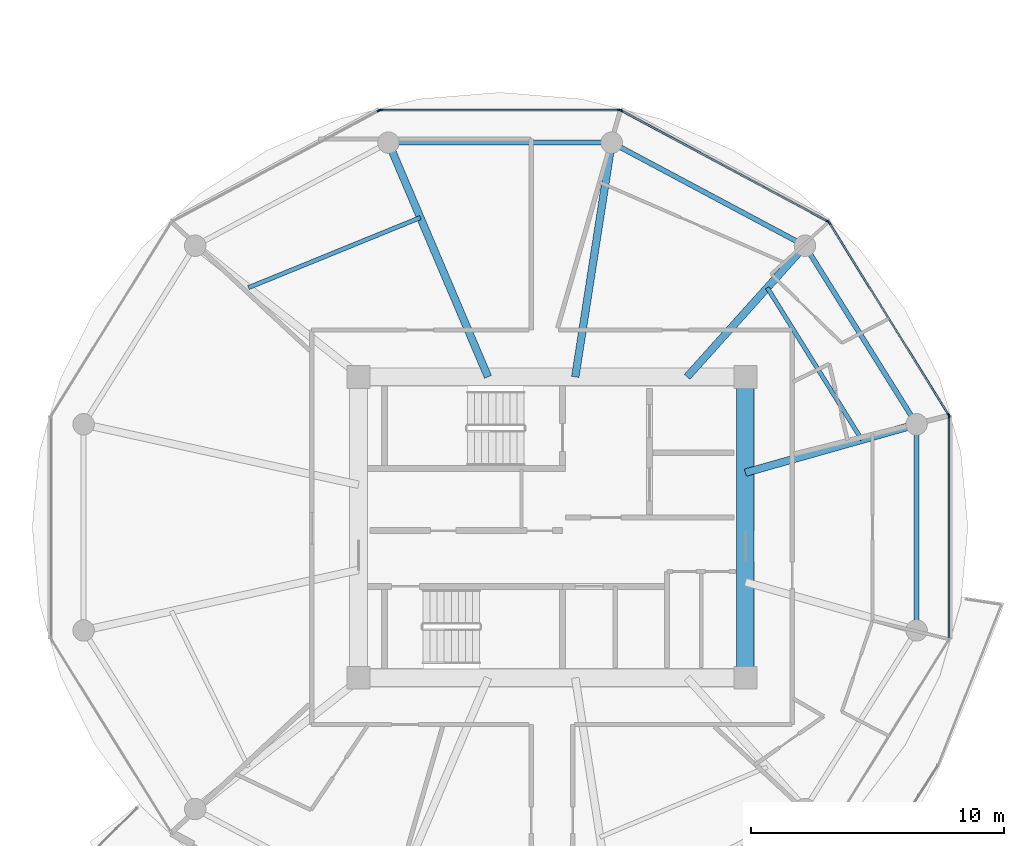
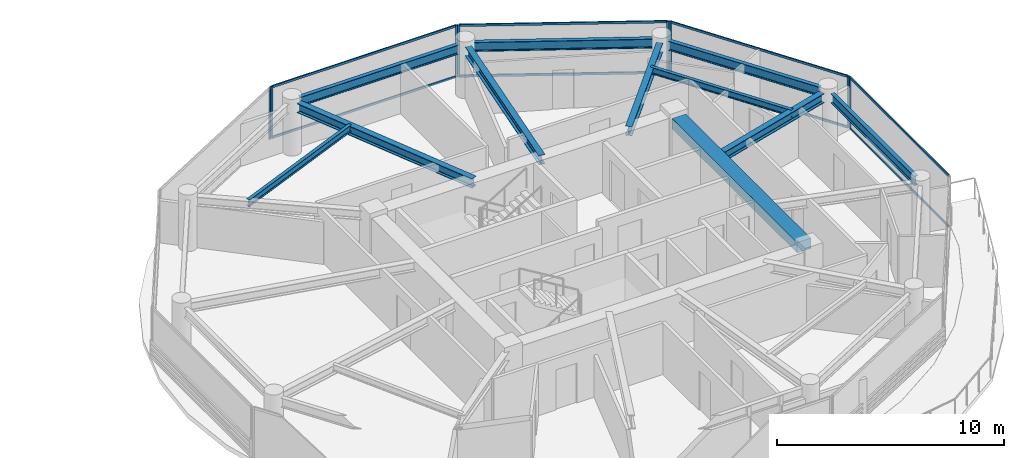
# One storey, part 11 of 24: 16 members, 11 beams, 5 elements without a shape of their own.
"""IFC4 building model written with IfcOpenShell, lengths in metres."""

from ifc_helpers import new_model, si_unit, direction, frame, origin, origin_2d, place, context, subcontext, project, spatial, rectangle, i_section, extrude, source, transform, mapped, material, layer, layer_set, material_profile, profile_set, type_object, type_shapes, element, aggregate, save


model = new_model("IFC4")

# Units and contexts
model_context = context("Model", 3, precision=1e-05, world=origin(), true_north=direction((0.0, 1.0)))
body_context = subcontext(model_context, "Body", "Model", "MODEL_VIEW")
ifc_project = project(units=[si_unit("LENGTHUNIT", "METRE"), si_unit("AREAUNIT", "SQUARE_METRE"), si_unit("VOLUMEUNIT", "CUBIC_METRE"), si_unit("PLANEANGLEUNIT", "RADIAN"), si_unit("MASSUNIT", "GRAM", prefix="KILO")], contexts=[model_context])

# Site, building, storey
site_placement = place(None, origin())
site = spatial("IfcSite", under=ifc_project, at=site_placement, CompositionType="ELEMENT")
building_placement = place(site_placement, origin())
building = spatial("IfcBuilding", under=site, at=building_placement, Name="Norrkilde Senior Care Towers", CompositionType="ELEMENT")
storey_placement = place(building_placement, frame((0.0, 0.0, 90.14990234375)))
storey = spatial("IfcBuildingStorey", under=building, at=storey_placement, Name="L27", CompositionType="ELEMENT", Elevation=90.14990234375)

# Beams
ifc_material_1 = material(Name="Concrete C60/75", Category="concrete")
ifc_material_profile_1 = material_profile(ifc_material_1, rectangle(XDim=0.699951171875, YDim=0.550048828125, at=origin_2d()), Name="RC BM 700x550")
ifc_profile_set_1 = profile_set([ifc_material_profile_1], Name="Concrete C60/75")
beam_type_1 = type_object("IfcBeamType", Name="Core Portal Coupling Beam 700x550", PredefinedType="USERDEFINED", material=ifc_profile_set_1)
shared_shape_1 = source(origin(), body_context, "Body", "SweptSolid", [
    extrude(rectangle(XDim=0.699951171875, YDim=0.550048828125, at=origin_2d()), origin(), (0.0, 0.0, 1.0), 11.0400390625),
])
type_shapes(beam_type_1, [shared_shape_1])
beam_1_placement = place(storey_placement, frame((35.64990234375, -5.52001953125, 2.51513671875), z_axis=(0.0, 1.0, 0.0), x_axis=(-1.0, 0.0, 0.0)))
element("IfcBeam", 1, at=beam_1_placement, inside=storey, type_object=beam_type_1, Name="L27 Core E E Coupling Girder", ObjectType="GIRDER", PredefinedType="USERDEFINED", context=body_context, shape_type="MappedRepresentation", body=[
    mapped(shared_shape_1, transform((0.0, 0.0, 0.0), x_axis=(1.0, 0.0, 0.0), y_axis=(0.0, 1.0, 0.0), z_axis=(0.0, 0.0, 1.0), scale=1.0)),
])
ifc_material_2 = material(Name="Steel S355", Category="steel")
ifc_material_profile_2 = material_profile(ifc_material_2, i_section(OverallWidth=0.199951171875, OverallDepth=0.5, WebThickness=0.01025390625, FlangeThickness=0.01611328125, FilletRadius=0.02099609375, at=origin_2d()), Name="IPE 500")
ifc_profile_set_2 = profile_set([ifc_material_profile_2], Name="Steel S355")
beam_type_2 = type_object("IfcBeamType", Name="Perimeter Ring Spandrel Z2 IPE500", PredefinedType="SPANDREL", material=ifc_profile_set_2)
shared_shape_2 = source(origin(), body_context, "Body", "SweptSolid", [
    extrude(i_section(OverallWidth=0.199951171875, OverallDepth=0.5, WebThickness=0.01025390625, FlangeThickness=0.01611328125, FilletRadius=0.02099609375, at=origin_2d()), origin(), (0.0, 0.0, 1.0), 7.892333984375),
])
beam_2_placement = place(storey_placement, frame((37.66650390625, 11.318115234375, 2.5400390625), z_axis=(-0.882350372282, 0.47059305194, 0.0), x_axis=(-0.47059305194, -0.882350372282, 0.0)))
element("IfcBeam", 2, at=beam_2_placement, inside=storey, type_object=beam_type_2, Name="L27 Drum E Perimeter Spandrel 02", PredefinedType="SPANDREL", context=body_context, shape_type="MappedRepresentation", body=[
    mapped(shared_shape_2, transform((0.0, 0.0, 0.0), x_axis=(1.0, 0.0, 0.0), y_axis=(0.0, 1.0, 0.0), z_axis=(0.0, 0.0, 1.0), scale=1.0)),
])
shared_shape_3 = source(origin(), body_context, "Body", "SweptSolid", [
    extrude(i_section(OverallWidth=0.199951171875, OverallDepth=0.5, WebThickness=0.01025390625, FlangeThickness=0.01611328125, FilletRadius=0.02099609375, at=origin_2d()), origin(), (0.0, 0.0, 1.0), 8.0556640625),
])
beam_3_placement = place(storey_placement, frame((29.977783203125, 15.21337890625, 2.5400390625), z_axis=(-1.0, 0.0, 0.0), x_axis=(0.0, -1.0, 0.0)))
element("IfcBeam", 3, at=beam_3_placement, inside=storey, type_object=beam_type_2, Name="L27 Drum E Perimeter Spandrel 03", PredefinedType="SPANDREL", context=body_context, shape_type="MappedRepresentation", body=[
    mapped(shared_shape_3, transform((0.0, 0.0, 0.0), x_axis=(1.0, 0.0, 0.0), y_axis=(0.0, 1.0, 0.0), z_axis=(0.0, 0.0, 1.0), scale=1.0)),
])
ifc_material_profile_3 = material_profile(ifc_material_2, i_section(OverallWidth=0.300048828125, OverallDepth=0.5, WebThickness=0.014404296875, FlangeThickness=0.028076171875, FilletRadius=0.027099609375, at=origin_2d()), Name="HEB 500")
ifc_profile_set_3 = profile_set([ifc_material_profile_3], Name="Steel S355")
beam_type_3 = type_object("IfcBeamType", Name="Radial Floor Beam Z2 HEB500", PredefinedType="BEAM", material=ifc_profile_set_3)
shared_shape_4 = source(origin(), body_context, "Body", "SweptSolid", [
    extrude(i_section(OverallWidth=0.300048828125, OverallDepth=0.5, WebThickness=0.014404296875, FlangeThickness=0.028076171875, FilletRadius=0.027099609375, at=origin_2d()), origin(), (0.0, 0.0, 1.0), 9.679443359375),
])
beam_4_placement = place(storey_placement, frame((25.472412109375, 5.949951171875, 2.5400390625), z_axis=(-0.390998033479, 0.920391513333, 0.0), x_axis=(-0.920391513333, -0.390998033479, 0.0)))
element("IfcBeam", 4, at=beam_4_placement, inside=storey, type_object=beam_type_3, Name="L27 Drum E Radial Floor Beam 04", PredefinedType="BEAM", context=body_context, shape_type="MappedRepresentation", body=[
    mapped(shared_shape_4, transform((0.0, 0.0, 0.0), x_axis=(1.0, 0.0, 0.0), y_axis=(0.0, 1.0, 0.0), z_axis=(0.0, 0.0, 1.0), scale=1.0)),
])
shared_shape_5 = source(origin(), body_context, "Body", "SweptSolid", [
    extrude(i_section(OverallWidth=0.300048828125, OverallDepth=0.5, WebThickness=0.014404296875, FlangeThickness=0.028076171875, FilletRadius=0.027099609375, at=origin_2d()), origin(), (0.0, 0.0, 1.0), 8.989501953125),
])
beam_5_placement = place(storey_placement, frame((28.924072265625, 5.949951171875, 2.5400390625), z_axis=(0.153471298636, 0.988153105796, 0.0), x_axis=(-0.988153105796, 0.153471298636, 0.0)))
element("IfcBeam", 5, at=beam_5_placement, inside=storey, type_object=beam_type_3, Name="L27 Drum E Radial Floor Beam 03", PredefinedType="BEAM", context=body_context, shape_type="MappedRepresentation", body=[
    mapped(shared_shape_5, transform((0.0, 0.0, 0.0), x_axis=(1.0, 0.0, 0.0), y_axis=(0.0, 1.0, 0.0), z_axis=(0.0, 0.0, 1.0), scale=1.0)),
])
shared_shape_6 = source(origin(), body_context, "Body", "SweptSolid", [
    extrude(i_section(OverallWidth=0.199951171875, OverallDepth=0.5, WebThickness=0.01025390625, FlangeThickness=0.01611328125, FilletRadius=0.02099609375, at=origin_2d()), origin(), (0.0, 0.0, 1.0), 7.556396484375),
])
beam_6_placement = place(storey_placement, frame((42.215087890625, 4.40283203125, 2.5400390625), z_axis=(-0.530004748437, 0.847994673706, 0.0), x_axis=(-0.847994673706, -0.530004748437, 0.0)))
element("IfcBeam", 6, at=beam_6_placement, inside=storey, type_object=beam_type_2, Name="L27 Drum E Perimeter Spandrel 01", PredefinedType="SPANDREL", context=body_context, shape_type="MappedRepresentation", body=[
    mapped(shared_shape_6, transform((0.0, 0.0, 0.0), x_axis=(1.0, 0.0, 0.0), y_axis=(0.0, 1.0, 0.0), z_axis=(0.0, 0.0, 1.0), scale=1.0)),
])
shared_shape_7 = source(origin(), body_context, "Body", "SweptSolid", [
    extrude(i_section(OverallWidth=0.300048828125, OverallDepth=0.5, WebThickness=0.014404296875, FlangeThickness=0.028076171875, FilletRadius=0.027099609375, at=origin_2d()), origin(), (0.0, 0.0, 1.0), 6.587890625),
])
beam_7_placement = place(storey_placement, frame((33.345947265625, 5.949951171875, 2.5400390625), z_axis=(0.668315438605, 0.743877997068, 0.0), x_axis=(-0.743877997068, 0.668315438605, 0.0)))
element("IfcBeam", 7, at=beam_7_placement, inside=storey, type_object=beam_type_3, Name="L27 Drum E Radial Floor Beam 02", PredefinedType="BEAM", context=body_context, shape_type="MappedRepresentation", body=[
    mapped(shared_shape_7, transform((0.0, 0.0, 0.0), x_axis=(1.0, 0.0, 0.0), y_axis=(0.0, 1.0, 0.0), z_axis=(0.0, 0.0, 1.0), scale=1.0)),
])
shared_shape_8 = source(origin(), body_context, "Body", "SweptSolid", [
    extrude(i_section(OverallWidth=0.199951171875, OverallDepth=0.5, WebThickness=0.01025390625, FlangeThickness=0.01611328125, FilletRadius=0.02099609375, at=origin_2d()), origin(), (0.0, 0.0, 1.0), 7.3828125),
])
type_shapes(beam_type_2, [shared_shape_2, shared_shape_3, shared_shape_6, shared_shape_8])
beam_8_placement = place(storey_placement, frame((42.4189453125, -3.69140625, 2.5400390625), z_axis=(0.0, 1.0, 0.0), x_axis=(-1.0, 0.0, 0.0)))
element("IfcBeam", 8, at=beam_8_placement, inside=storey, type_object=beam_type_2, Name="L27 Drum E Perimeter Spandrel 12", PredefinedType="SPANDREL", context=body_context, shape_type="MappedRepresentation", body=[
    mapped(shared_shape_8, transform((0.0, 0.0, 0.0), x_axis=(1.0, 0.0, 0.0), y_axis=(0.0, 1.0, 0.0), z_axis=(0.0, 0.0, 1.0), scale=1.0)),
])
shared_shape_9 = source(origin(), body_context, "Body", "SweptSolid", [
    extrude(i_section(OverallWidth=0.300048828125, OverallDepth=0.5, WebThickness=0.014404296875, FlangeThickness=0.028076171875, FilletRadius=0.027099609375, at=origin_2d()), origin(), (0.0, 0.0, 1.0), 6.6494140625),
])
type_shapes(beam_type_3, [shared_shape_4, shared_shape_5, shared_shape_7, shared_shape_9])
beam_9_placement = place(storey_placement, frame((35.64990234375, 2.162841796875, 2.5400390625), z_axis=(0.962289138357, 0.27202870106, 0.0), x_axis=(-0.27202870106, 0.962289138357, 0.0)))
element("IfcBeam", 9, at=beam_9_placement, inside=storey, type_object=beam_type_3, Name="L27 Drum E Radial Floor Beam 01", PredefinedType="BEAM", context=body_context, shape_type="MappedRepresentation", body=[
    mapped(shared_shape_9, transform((0.0, 0.0, 0.0), x_axis=(1.0, 0.0, 0.0), y_axis=(0.0, 1.0, 0.0), z_axis=(0.0, 0.0, 1.0), scale=1.0)),
])
ifc_material_profile_4 = material_profile(ifc_material_2, i_section(OverallWidth=0.169921875, OverallDepth=0.360107421875, WebThickness=0.008056640625, FlangeThickness=0.0126953125, FilletRadius=0.01806640625, at=origin_2d()), Name="IPE 360")
ifc_profile_set_4 = profile_set([ifc_material_profile_4], Name="Steel S355")
beam_type_4 = type_object("IfcBeamType", Name="Secondary Floor Joist IPE360", PredefinedType="JOIST", material=ifc_profile_set_4)
shared_shape_10 = source(origin(), body_context, "Body", "SweptSolid", [
    extrude(i_section(OverallWidth=0.169921875, OverallDepth=0.360107421875, WebThickness=0.008056640625, FlangeThickness=0.0126953125, FilletRadius=0.01806640625, at=origin_2d()), origin(), (0.0, 0.0, 1.0), 7.343505859375),
])
beam_10_placement = place(storey_placement, frame((22.79638671875, 12.2490234375, 2.610107421875), z_axis=(-0.926021784767, -0.377470070519, 0.0), x_axis=(0.377470070519, -0.926021784767, 0.0)))
element("IfcBeam", 10, at=beam_10_placement, inside=storey, type_object=beam_type_4, Name="L27 Drum E Secondary Floor Joist 2", PredefinedType="JOIST", context=body_context, shape_type="MappedRepresentation", body=[
    mapped(shared_shape_10, transform((0.0, 0.0, 0.0), x_axis=(1.0, 0.0, 0.0), y_axis=(0.0, 1.0, 0.0), z_axis=(0.0, 0.0, 1.0), scale=1.0)),
])
shared_shape_11 = source(origin(), body_context, "Body", "SweptSolid", [
    extrude(i_section(OverallWidth=0.169921875, OverallDepth=0.360107421875, WebThickness=0.008056640625, FlangeThickness=0.0126953125, FilletRadius=0.01806640625, at=origin_2d()), origin(), (0.0, 0.0, 1.0), 7.080078125),
])
type_shapes(beam_type_4, [shared_shape_10, shared_shape_11])
beam_11_placement = place(storey_placement, frame((40.2529296875, 3.464111328125, 2.610107421875), z_axis=(-0.527961009189, 0.849268610497, 0.0), x_axis=(-0.849268610497, -0.527961009189, 0.0)))
element("IfcBeam", 11, at=beam_11_placement, inside=storey, type_object=beam_type_4, Name="L27 Drum E Secondary Floor Joist 1", PredefinedType="JOIST", context=body_context, shape_type="MappedRepresentation", body=[
    mapped(shared_shape_11, transform((0.0, 0.0, 0.0), x_axis=(1.0, 0.0, 0.0), y_axis=(0.0, 1.0, 0.0), z_axis=(0.0, 0.0, 1.0), scale=1.0)),
])

# Curtain wall, members
ifc_material_3 = material(Name="Triple Low-E Insulated Glazing", Category="glass")
ifc_layer = layer(ifc_material_3, 0.195068359375)
ifc_layer_set = layer_set([ifc_layer], Name="Triple Low-E Insulated Glazing")
curtain_wall_type = type_object("IfcCurtainWallType", Name="CW3 Zone 2 Assisted Living Curtain Wall", PredefinedType="NOTDEFINED", material=ifc_layer_set)
curtain_wall_1_placement = place(storey_placement, origin())
curtain_wall_1 = element("IfcCurtainWall", 12, at=curtain_wall_1_placement, inside=storey, type_object=curtain_wall_type, Name="L27 Drum E Curtain Wall 00", PredefinedType="NOTDEFINED")
ifc_material_4 = material(Name="Anodised Aluminium", Category="aluminium")
ifc_material_profile_5 = material_profile(ifc_material_4, rectangle(XDim=0.06494140625, YDim=0.159912109375, at=origin_2d()), Name="ALU MULL 65x160")
ifc_profile_set_5 = profile_set([ifc_material_profile_5], Name="Anodised Aluminium")
member_type_1 = type_object("IfcMemberType", Name="Curtain Wall Mullion Z1-Z2 65x160", PredefinedType="MULLION", material=ifc_profile_set_5)
shared_shape_12 = source(origin(), body_context, "Body", "SweptSolid", [
    extrude(rectangle(XDim=0.06494140625, YDim=0.159912109375, at=origin_2d()), origin(), (0.0, 0.0, 1.0), 2.7900390625),
])
type_shapes(member_type_1, [shared_shape_12])
member_1_placement = place(storey_placement, frame((38.9638671875, 12.0498046875, 0.0), z_axis=(0.0, 0.0, 1.0), x_axis=(0.849410171862, 0.527733228002, 0.0)))
member_1 = element("IfcMember", 13, at=member_1_placement, type_object=member_type_1, Name="CW-3 mullion 1", PredefinedType="MULLION", context=body_context, shape_type="MappedRepresentation", body=[
    mapped(shared_shape_12, transform((0.0, 0.0, 0.0), x_axis=(1.0, 0.0, 0.0), y_axis=(0.0, 1.0, 0.0), z_axis=(0.0, 0.0, 1.0), scale=1.0)),
])
member_2_placement = place(storey_placement, frame((43.6865234375, 4.4482421875, 0.0), z_axis=(0.0, 0.0, 1.0), x_axis=(0.849410171862, 0.527733228002, 0.0)))
member_2 = element("IfcMember", 14, at=member_2_placement, type_object=member_type_1, Name="CW-3 mullion 2", PredefinedType="MULLION", context=body_context, shape_type="MappedRepresentation", body=[
    mapped(shared_shape_12, transform((0.0, 0.0, 0.0), x_axis=(1.0, 0.0, 0.0), y_axis=(0.0, 1.0, 0.0), z_axis=(0.0, 0.0, 1.0), scale=1.0)),
])

curtain_wall_2_placement = place(storey_placement, origin())
curtain_wall_2 = element("IfcCurtainWall", 15, at=curtain_wall_2_placement, inside=storey, type_object=curtain_wall_type, Name="L27 Drum E Curtain Wall 01", PredefinedType="NOTDEFINED")
member_3_placement = place(storey_placement, frame((30.73583984375, 16.482666015625, 0.0), z_axis=(0.0, 0.0, 1.0), x_axis=(0.472769402511, 0.881186184668, 0.0)))
member_3 = element("IfcMember", 16, at=member_3_placement, type_object=member_type_1, Name="CW-3 mullion 1", PredefinedType="MULLION", context=body_context, shape_type="MappedRepresentation", body=[
    mapped(shared_shape_12, transform((0.0, 0.0, 0.0), x_axis=(1.0, 0.0, 0.0), y_axis=(0.0, 1.0, 0.0), z_axis=(0.0, 0.0, 1.0), scale=1.0)),
])
member_4_placement = place(storey_placement, frame((38.91796875, 12.0927734375, 0.0), z_axis=(0.0, 0.0, 1.0), x_axis=(0.472769402511, 0.881186184668, 0.0)))
member_4 = element("IfcMember", 17, at=member_4_placement, type_object=member_type_1, Name="CW-3 mullion 2", PredefinedType="MULLION", context=body_context, shape_type="MappedRepresentation", body=[
    mapped(shared_shape_12, transform((0.0, 0.0, 0.0), x_axis=(1.0, 0.0, 0.0), y_axis=(0.0, 1.0, 0.0), z_axis=(0.0, 0.0, 1.0), scale=1.0)),
])

curtain_wall_3_placement = place(storey_placement, origin())
curtain_wall_3 = element("IfcCurtainWall", 18, at=curtain_wall_3_placement, inside=storey, type_object=curtain_wall_type, Name="L27 Drum E Curtain Wall 02", PredefinedType="NOTDEFINED")
member_5_placement = place(storey_placement, frame((21.225341796875, 16.498046875, 0.0), z_axis=(0.0, 0.0, 1.0), x_axis=(0.0, 1.0, 0.0)))
member_5 = element("IfcMember", 19, at=member_5_placement, type_object=member_type_1, Name="CW-3 mullion 1", PredefinedType="MULLION", context=body_context, shape_type="MappedRepresentation", body=[
    mapped(shared_shape_12, transform((0.0, 0.0, 0.0), x_axis=(1.0, 0.0, 0.0), y_axis=(0.0, 1.0, 0.0), z_axis=(0.0, 0.0, 1.0), scale=1.0)),
])
member_6_placement = place(storey_placement, frame((30.674560546875, 16.498046875, 0.0), z_axis=(0.0, 0.0, 1.0), x_axis=(0.0, 1.0, 0.0)))
member_6 = element("IfcMember", 20, at=member_6_placement, type_object=member_type_1, Name="CW-3 mullion 2", PredefinedType="MULLION", context=body_context, shape_type="MappedRepresentation", body=[
    mapped(shared_shape_12, transform((0.0, 0.0, 0.0), x_axis=(1.0, 0.0, 0.0), y_axis=(0.0, 1.0, 0.0), z_axis=(0.0, 0.0, 1.0), scale=1.0)),
])

# Curtain wall, member
curtain_wall_4_placement = place(storey_placement, origin())
curtain_wall_4 = element("IfcCurtainWall", 21, at=curtain_wall_4_placement, inside=storey, type_object=curtain_wall_type, Name="L27 Drum E Curtain Wall 03", PredefinedType="NOTDEFINED")
member_7_placement = place(storey_placement, frame((21.164306640625, 16.482666015625, 0.0), z_axis=(0.0, 0.0, 1.0), x_axis=(-0.472769402511, 0.881186184668, 0.0)))
member_7 = element("IfcMember", 22, at=member_7_placement, type_object=member_type_1, Name="CW-3 mullion 2", PredefinedType="MULLION", context=body_context, shape_type="MappedRepresentation", body=[
    mapped(shared_shape_12, transform((0.0, 0.0, 0.0), x_axis=(1.0, 0.0, 0.0), y_axis=(0.0, 1.0, 0.0), z_axis=(0.0, 0.0, 1.0), scale=1.0)),
])
aggregate(curtain_wall_4, [member_7])

curtain_wall_5_placement = place(storey_placement, origin())
curtain_wall_5 = element("IfcCurtainWall", 23, at=curtain_wall_5_placement, inside=storey, type_object=curtain_wall_type, Name="L27 Drum E Curtain Wall 11", PredefinedType="NOTDEFINED")
member_8_placement = place(storey_placement, frame((43.70361328125, 4.38818359375, 0.0), z_axis=(0.0, 0.0, 1.0), x_axis=(1.0, 0.0, 0.0)))
member_8 = element("IfcMember", 24, at=member_8_placement, type_object=member_type_1, Name="CW-3 mullion 1", PredefinedType="MULLION", context=body_context, shape_type="MappedRepresentation", body=[
    mapped(shared_shape_12, transform((0.0, 0.0, 0.0), x_axis=(1.0, 0.0, 0.0), y_axis=(0.0, 1.0, 0.0), z_axis=(0.0, 0.0, 1.0), scale=1.0)),
])

# Member
ifc_material_profile_6 = material_profile(ifc_material_4, rectangle(XDim=0.06005859375, YDim=0.1201171875, at=origin_2d()), Name="ALU TRAN 60x120")
ifc_profile_set_6 = profile_set([ifc_material_profile_6], Name="Anodised Aluminium")
member_type_2 = type_object("IfcMemberType", Name="Curtain Wall Transom Typical 60x120", PredefinedType="USERDEFINED", material=ifc_profile_set_6)
shared_shape_13 = source(origin(), body_context, "Body", "SweptSolid", [
    extrude(rectangle(XDim=0.06005859375, YDim=0.1201171875, at=origin_2d()), origin(), (0.0, 0.0, 1.0), 8.88427734375),
])
member_9_placement = place(storey_placement, frame((38.98095703125, 12.022216796875, 0.030029296875), z_axis=(0.527729466743, -0.849412508697, 0.0), x_axis=(0.849412508697, 0.527729466743, 0.0)))
member_9 = element("IfcMember", 25, at=member_9_placement, type_object=member_type_2, Name="CW-3 transom 1.1", ObjectType="TRANSOM", PredefinedType="USERDEFINED", context=body_context, shape_type="MappedRepresentation", body=[
    mapped(shared_shape_13, transform((0.0, 0.0, 0.0), x_axis=(1.0, 0.0, 0.0), y_axis=(0.0, 1.0, 0.0), z_axis=(0.0, 0.0, 1.0), scale=1.0)),
])

member_10_placement = place(storey_placement, frame((38.98095703125, 12.022216796875, 2.760009765625), z_axis=(0.527729466743, -0.849412508697, 0.0), x_axis=(0.849412508697, 0.527729466743, 0.0)))
member_10 = element("IfcMember", 26, at=member_10_placement, type_object=member_type_2, Name="CW-3 transom 1.2", ObjectType="TRANSOM", PredefinedType="USERDEFINED", context=body_context, shape_type="MappedRepresentation", body=[
    mapped(shared_shape_13, transform((0.0, 0.0, 0.0), x_axis=(1.0, 0.0, 0.0), y_axis=(0.0, 1.0, 0.0), z_axis=(0.0, 0.0, 1.0), scale=1.0)),
])

aggregate(curtain_wall_1, [member_1, member_2, member_9, member_10])

shared_shape_14 = source(origin(), body_context, "Body", "SweptSolid", [
    extrude(rectangle(XDim=0.06005859375, YDim=0.1201171875, at=origin_2d()), origin(), (0.0, 0.0, 1.0), 9.220458984375),
])
member_11_placement = place(storey_placement, frame((30.764404296875, 16.46728515625, 0.030029296875), z_axis=(0.881188517866, -0.472765053681, 0.0), x_axis=(0.472765053681, 0.881188517866, 0.0)))
member_11 = element("IfcMember", 27, at=member_11_placement, type_object=member_type_2, Name="CW-3 transom 1.1", ObjectType="TRANSOM", PredefinedType="USERDEFINED", context=body_context, shape_type="MappedRepresentation", body=[
    mapped(shared_shape_14, transform((0.0, 0.0, 0.0), x_axis=(1.0, 0.0, 0.0), y_axis=(0.0, 1.0, 0.0), z_axis=(0.0, 0.0, 1.0), scale=1.0)),
])

member_12_placement = place(storey_placement, frame((30.764404296875, 16.46728515625, 2.760009765625), z_axis=(0.881188517866, -0.472765053681, 0.0), x_axis=(0.472765053681, 0.881188517866, 0.0)))
member_12 = element("IfcMember", 28, at=member_12_placement, type_object=member_type_2, Name="CW-3 transom 1.2", ObjectType="TRANSOM", PredefinedType="USERDEFINED", context=body_context, shape_type="MappedRepresentation", body=[
    mapped(shared_shape_14, transform((0.0, 0.0, 0.0), x_axis=(1.0, 0.0, 0.0), y_axis=(0.0, 1.0, 0.0), z_axis=(0.0, 0.0, 1.0), scale=1.0)),
])

aggregate(curtain_wall_2, [member_3, member_4, member_11, member_12])

shared_shape_15 = source(origin(), body_context, "Body", "SweptSolid", [
    extrude(rectangle(XDim=0.06005859375, YDim=0.1201171875, at=origin_2d()), origin(), (0.0, 0.0, 1.0), 9.38427734375),
])
member_13_placement = place(storey_placement, frame((21.2578125, 16.498046875, 0.030029296875), z_axis=(1.0, 0.0, 0.0), x_axis=(0.0, 1.0, 0.0)))
member_13 = element("IfcMember", 29, at=member_13_placement, type_object=member_type_2, Name="CW-3 transom 1.1", ObjectType="TRANSOM", PredefinedType="USERDEFINED", context=body_context, shape_type="MappedRepresentation", body=[
    mapped(shared_shape_15, transform((0.0, 0.0, 0.0), x_axis=(1.0, 0.0, 0.0), y_axis=(0.0, 1.0, 0.0), z_axis=(0.0, 0.0, 1.0), scale=1.0)),
])

member_14_placement = place(storey_placement, frame((21.2578125, 16.498046875, 2.760009765625), z_axis=(1.0, 0.0, 0.0), x_axis=(0.0, 1.0, 0.0)))
member_14 = element("IfcMember", 30, at=member_14_placement, type_object=member_type_2, Name="CW-3 transom 1.2", ObjectType="TRANSOM", PredefinedType="USERDEFINED", context=body_context, shape_type="MappedRepresentation", body=[
    mapped(shared_shape_15, transform((0.0, 0.0, 0.0), x_axis=(1.0, 0.0, 0.0), y_axis=(0.0, 1.0, 0.0), z_axis=(0.0, 0.0, 1.0), scale=1.0)),
])

aggregate(curtain_wall_3, [member_5, member_6, member_13, member_14])

shared_shape_16 = source(origin(), body_context, "Body", "SweptSolid", [
    extrude(rectangle(XDim=0.06005859375, YDim=0.1201171875, at=origin_2d()), origin(), (0.0, 0.0, 1.0), 8.71142578125),
])
type_shapes(member_type_2, [shared_shape_13, shared_shape_14, shared_shape_15, shared_shape_16])
member_15_placement = place(storey_placement, frame((43.70361328125, 4.355712890625, 0.030029296875), z_axis=(0.0, -1.0, 0.0), x_axis=(1.0, 0.0, 0.0)))
member_15 = element("IfcMember", 31, at=member_15_placement, type_object=member_type_2, Name="CW-3 transom 1.1", ObjectType="TRANSOM", PredefinedType="USERDEFINED", context=body_context, shape_type="MappedRepresentation", body=[
    mapped(shared_shape_16, transform((0.0, 0.0, 0.0), x_axis=(1.0, 0.0, 0.0), y_axis=(0.0, 1.0, 0.0), z_axis=(0.0, 0.0, 1.0), scale=1.0)),
])

member_16_placement = place(storey_placement, frame((43.70361328125, 4.355712890625, 2.760009765625), z_axis=(0.0, -1.0, 0.0), x_axis=(1.0, 0.0, 0.0)))
member_16 = element("IfcMember", 32, at=member_16_placement, type_object=member_type_2, Name="CW-3 transom 1.2", ObjectType="TRANSOM", PredefinedType="USERDEFINED", context=body_context, shape_type="MappedRepresentation", body=[
    mapped(shared_shape_16, transform((0.0, 0.0, 0.0), x_axis=(1.0, 0.0, 0.0), y_axis=(0.0, 1.0, 0.0), z_axis=(0.0, 0.0, 1.0), scale=1.0)),
])

aggregate(curtain_wall_5, [member_8, member_15, member_16])

save(model, "model.ifc")
